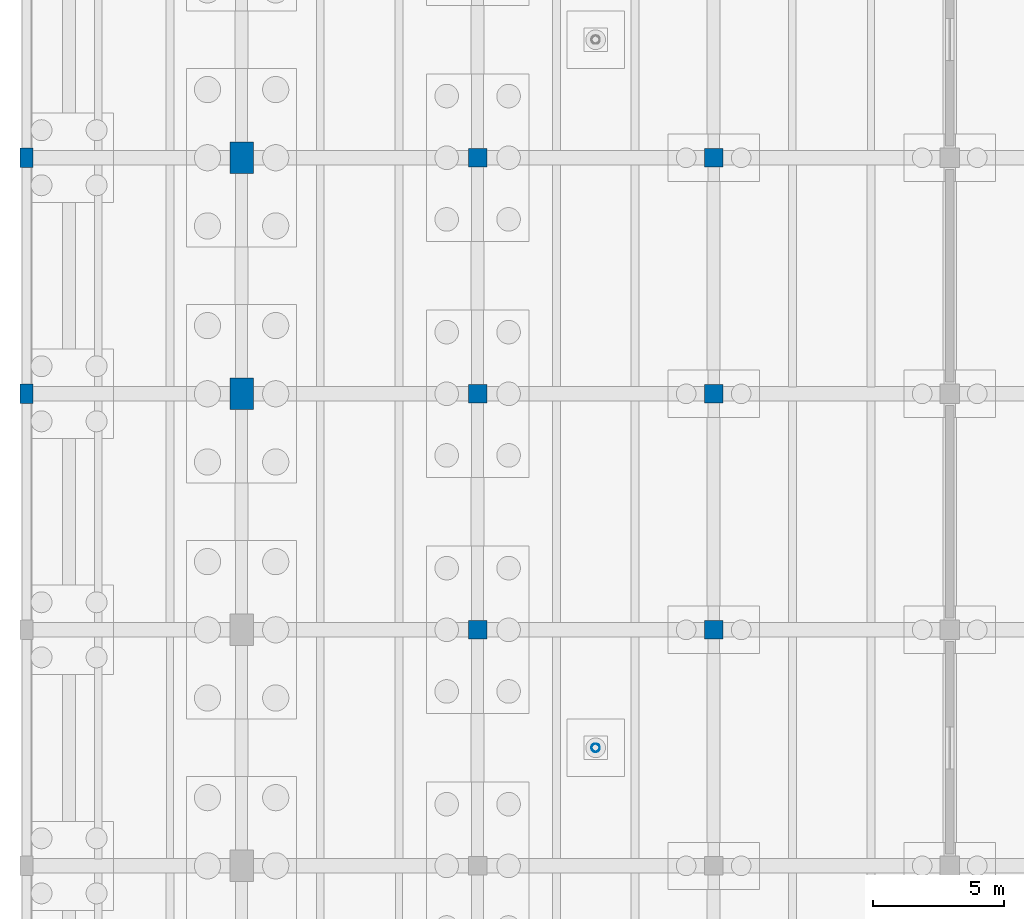
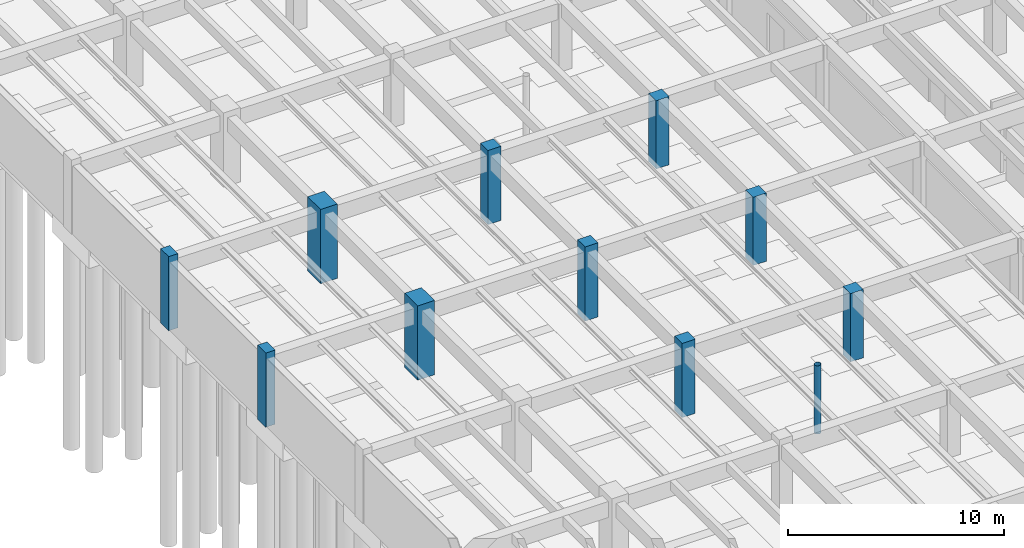
# One storey, part 6 of 23: 11 columns.
"""IFC4 building model written with IfcOpenShell, lengths in metres."""

import ifcopenshell
import ifcopenshell.guid

model = None  # the IFC model being written
_history = None  # IfcOwnerHistory: only IFC2X3 demands one
_inside = {}  # id of a spatial element -> (the spatial element, [elements in it])
_under = {}  # id of a project, library or spatial element -> (it, [spatial elements below it])
_declared = {}  # id of a project -> (the project, [libraries it declares])
_typed = {}  # id of a type object -> (the type object, [elements of that type])
_made_of = {}  # id of a material, layer set ... -> (it, [elements and type objects made of it])


def new_model(schema):
    """Start an empty IFC model of exactly this schema.

    Asked for "IFC4X3", IfcOpenShell would pick the latest addendum, in which some entities
    have other attributes; the version numbers below select the first issue.
    IFC2X3 requires an IfcOwnerHistory on every rooted entity: one is made here for all.
    """
    global model, _history
    if schema == "IFC4X3":
        model = ifcopenshell.file(schema_version=(4, 3, 0, 0))
    else:
        model = ifcopenshell.file(schema=schema)
    _inside.clear()
    _under.clear()
    _declared.clear()
    _typed.clear()
    _made_of.clear()
    _history = None
    if model.schema == "IFC2X3":
        org = make("IfcOrganization", Name="unknown")
        user = make(
            "IfcPersonAndOrganization",
            ThePerson=make("IfcPerson", FamilyName="unknown"),
            TheOrganization=org,
        )
        app = make(
            "IfcApplication",
            ApplicationDeveloper=org,
            Version="unknown",
            ApplicationFullName="unknown",
            ApplicationIdentifier="unknown",
        )
        _history = make(
            "IfcOwnerHistory",
            OwningUser=user,
            OwningApplication=app,
            ChangeAction="ADDED",
            CreationDate=0,
        )
    return model


def make(cls, **values):
    """One entity of the class cls with the attributes given. An attribute that is None is left unset."""
    return model.create_entity(
        cls, **{name: value for name, value in values.items() if value is not None}
    )


def rooted(cls, **values):
    """An entity with a GlobalId (a new one), such as an element, a storey or a relation."""
    return make(cls, GlobalId=ifcopenshell.guid.new(), OwnerHistory=_history, **values)


def si_unit(unit_type, name, prefix=None):
    """IfcSIUnit, for example si_unit("LENGTHUNIT", "METRE", prefix="MILLI")."""
    return make("IfcSIUnit", UnitType=unit_type, Prefix=prefix, Name=name)


def assignment(units):
    """IfcUnitAssignment: the units of a project."""
    return None if units is None else make("IfcUnitAssignment", Units=units)


def point(xyz):
    """IfcCartesianPoint."""
    return None if xyz is None else make("IfcCartesianPoint", Coordinates=xyz)


def direction(xyz):
    """IfcDirection."""
    return None if xyz is None else make("IfcDirection", DirectionRatios=xyz)


def frame(location, z_axis=None, x_axis=None):
    """IfcAxis2Placement3D, a coordinate frame: its origin and axes. An axis left out is left unset."""
    return make(
        "IfcAxis2Placement3D",
        Location=point(location),
        Axis=direction(z_axis),
        RefDirection=direction(x_axis),
    )


def frame_2d(location, x_axis=None):
    """IfcAxis2Placement2D, a coordinate frame in the plane: its origin and x axis."""
    return make(
        "IfcAxis2Placement2D", Location=point(location), RefDirection=direction(x_axis)
    )


def origin():
    """The frame at (0, 0, 0) with its axes left unset."""
    return frame((0.0, 0.0, 0.0))


def origin_2d():
    """The frame at (0, 0) in the plane with its x axis left unset."""
    return frame_2d((0.0, 0.0))


def place(relative_to, where):
    """IfcLocalPlacement: puts the frame where relative to a parent placement (None: the world)."""
    return make(
        "IfcLocalPlacement", PlacementRelTo=relative_to, RelativePlacement=where
    )


def context(
    kind, dimensions, precision=None, world=None, true_north=None, identifier=None
):
    """IfcGeometricRepresentationContext, for example the 3D "Model" context."""
    return make(
        "IfcGeometricRepresentationContext",
        ContextIdentifier=identifier,
        ContextType=kind,
        CoordinateSpaceDimension=dimensions,
        Precision=precision,
        WorldCoordinateSystem=world,
        TrueNorth=true_north,
    )


def subcontext(parent, identifier, kind, view, scale=None):
    """IfcGeometricRepresentationSubContext, for example "Body" below "Model"."""
    return make(
        "IfcGeometricRepresentationSubContext",
        ContextIdentifier=identifier,
        ContextType=kind,
        ParentContext=parent,
        TargetScale=scale,
        TargetView=view,
    )


def project(units=None, contexts=None):
    """IfcProject with its units and contexts."""
    return rooted(
        "IfcProject",
        Name="project",
        RepresentationContexts=contexts,
        UnitsInContext=assignment(units),
    )


def spatial(cls, under=None, at=None, **own):
    """A site, building, storey or space (cls), placed at a placement, below another one or the project."""
    s = rooted(cls, ObjectPlacement=at, **own)
    if under is not None:
        _under.setdefault(under.id(), (under, []))[1].append(s)
    return s


def profile(cls, at=None, kind="AREA", **sizes):
    """A parametric profile (cls). Its sizes go by their IFC names, for example OverallWidth=200.0."""
    return make(cls, ProfileType=kind, Position=at, **sizes)


def rectangle(**sizes):
    """IfcRectangleProfileDef."""
    return profile("IfcRectangleProfileDef", **sizes)


def hollow_circle(**sizes):
    """IfcCircleHollowProfileDef."""
    return profile("IfcCircleHollowProfileDef", **sizes)


def extrude(swept, where, along, depth):
    """IfcExtrudedAreaSolid: the profile swept, set in the frame where, extruded along a direction by depth."""
    return make(
        "IfcExtrudedAreaSolid",
        SweptArea=swept,
        Position=where,
        ExtrudedDirection=direction(along),
        Depth=depth,
    )


def shape(context_of_items, identifier, shape_type, items):
    """IfcShapeRepresentation: the items that make up one representation, for example the "Body"."""
    return make(
        "IfcShapeRepresentation",
        ContextOfItems=context_of_items,
        RepresentationIdentifier=identifier,
        RepresentationType=shape_type,
        Items=items,
    )


def material(Name=None, Category=None):
    """IfcMaterial."""
    return make("IfcMaterial", Name=Name, Category=Category)


def material_profile(
    of_material, cross_section, Name=None, Category=None, Priority=None
):
    """IfcMaterialProfile: a cross section and its material."""
    return make(
        "IfcMaterialProfile",
        Name=Name,
        Material=of_material,
        Profile=cross_section,
        Priority=Priority,
        Category=Category,
    )


def profile_set(profiles, Name=None, composite=None):
    """IfcMaterialProfileSet."""
    return make(
        "IfcMaterialProfileSet",
        Name=Name,
        MaterialProfiles=profiles,
        CompositeProfile=composite,
    )


def made_of(thing, what):
    """Note that an element or type object is made of a material, layer set ...; save() writes the relation."""
    if what is not None:
        _made_of.setdefault(what.id(), (what, []))[1].append(thing)
    return thing


def type_object(cls, material=None, **own):
    """A type object (cls), such as IfcWallType, which elements share."""
    return made_of(rooted(cls, **own), material)


def element(
    cls,
    number,
    at=None,
    inside=None,
    cuts=None,
    type_object=None,
    material=None,
    context=None,
    identifier="Body",
    shape_type=None,
    held_by="IfcProductDefinitionShape",
    body=None,
    shapes=None,
    **own,
):
    """One element of the class cls, such as IfcWall. Its Tag is "e" and its number.

    at: its placement. inside: the storey or other place that contains it. cuts: it is an
    opening in that element (IfcRelVoidsElement). A single representation is given by context,
    identifier, shape_type and body (its items); several are given by shapes. held_by: the class
    of the entity that holds the representations. save() writes the other relations.
    """
    e = rooted(cls, Tag="e%d" % number, ObjectPlacement=at, **own)
    if body is not None:
        shapes = [shape(context, identifier, shape_type, body)]
    if shapes is not None:
        e.Representation = make(held_by, Representations=shapes)
    if inside is not None:
        _inside.setdefault(inside.id(), (inside, []))[1].append(e)
    if cuts is not None:
        rooted(
            "IfcRelVoidsElement", RelatingBuildingElement=cuts, RelatedOpeningElement=e
        )
    if type_object is not None:
        _typed.setdefault(type_object.id(), (type_object, []))[1].append(e)
    return made_of(e, material)


def aggregate(whole, parts):
    """IfcRelAggregates: a whole, such as a stair, and the parts it consists of."""
    return rooted("IfcRelAggregates", RelatingObject=whole, RelatedObjects=parts)


def save(model, path):
    """Write the relations noted so far, then the file.

    IfcRelAggregates (storeys below a building ...), IfcRelContainedInSpatialStructure (elements
    in a storey), IfcRelDefinesByType, IfcRelAssociatesMaterial and IfcRelDeclares: one each for
    every whole, place, type object, material and project.
    """
    for whole, parts in _under.values():
        aggregate(whole, parts)
    for where, things in _inside.values():
        rooted(
            "IfcRelContainedInSpatialStructure",
            RelatedElements=things,
            RelatingStructure=where,
        )
    for kind, things in _typed.values():
        rooted("IfcRelDefinesByType", RelatedObjects=things, RelatingType=kind)
    for what, things in _made_of.values():
        rooted("IfcRelAssociatesMaterial", RelatedObjects=things, RelatingMaterial=what)
    for by, libraries in _declared.values():
        rooted("IfcRelDeclares", RelatingContext=by, RelatedDefinitions=libraries)
    model.write(path)


model = new_model("IFC4")

# Units and contexts
model_context = context("Model", 3, precision=1e-05, world=origin(), true_north=direction((0.0, 1.0)))
body_context = subcontext(model_context, "Body", "Model", "MODEL_VIEW")
ifc_project = project(units=[si_unit("LENGTHUNIT", "METRE"), si_unit("AREAUNIT", "SQUARE_METRE"), si_unit("VOLUMEUNIT", "CUBIC_METRE"), si_unit("PLANEANGLEUNIT", "RADIAN"), si_unit("MASSUNIT", "GRAM", prefix="KILO")], contexts=[model_context])

# Site, building, storey
site_placement = place(None, origin())
site = spatial("IfcSite", under=ifc_project, at=site_placement, CompositionType="ELEMENT")
building_placement = place(site_placement, origin())
building = spatial("IfcBuilding", under=site, at=building_placement, Name="Ornek Quay Market", CompositionType="ELEMENT")
storey_placement = place(building_placement, frame((0.0, 0.0, -4.199951171875)))
storey = spatial("IfcBuildingStorey", under=building, at=storey_placement, Name="B1", CompositionType="ELEMENT", Elevation=-4.199951171875)

# Columns
ifc_material_1 = material(Name="Concrete C45/55", Category="concrete")
ifc_material_profile_1 = material_profile(ifc_material_1, rectangle(XDim=0.89990234375, YDim=1.199951171875, at=origin_2d()), Name="RC 900x1200", Category="concrete")
ifc_profile_set_1 = profile_set([ifc_material_profile_1], Name="Concrete C45/55")
column_type_1 = type_object("IfcColumnType", Name="COL-ARCH-900x1200", PredefinedType="COLUMN", material=ifc_profile_set_1)
for number, where, z_axis, x_axis, name in (
    (1, (63.0, 56.0, 0.0), (0.0, 0.0, 1.0), (1.0, 0.0, 0.0), "Column C-AR1-007"),
    (2, (63.0, 65.0, 0.0), (0.0, 0.0, 1.0), (1.0, 0.0, 0.0), "Column C-AR1-008"),
):
    element("IfcColumn", number, at=place(storey_placement, frame(where, z_axis=z_axis, x_axis=x_axis)), inside=storey, type_object=column_type_1, Name=name, PredefinedType="COLUMN", context=body_context, shape_type="SweptSolid", body=[
        extrude(rectangle(XDim=0.89990234375, YDim=1.199951171875, at=origin_2d()), origin(), (0.0, 0.0, 1.0), 4.199951171875),
    ])
ifc_material_2 = material(Name="Concrete C40/50", Category="concrete")
ifc_material_profile_2 = material_profile(ifc_material_2, rectangle(XDim=0.699951171875, YDim=0.699951171875, at=origin_2d()), Name="RC 700x700", Category="concrete")
ifc_profile_set_2 = profile_set([ifc_material_profile_2], Name="Concrete C40/50")
column_type_2 = type_object("IfcColumnType", Name="COL-B1-700x700", PredefinedType="COLUMN", material=ifc_profile_set_2)
for number, where, z_axis, x_axis, name in (
    (3, (72.0, 47.0, 0.0), (0.0, 0.0, 1.0), (1.0, 0.0, 0.0), "Column C-B1B-010"),
    (4, (72.0, 56.0, 0.0), (0.0, 0.0, 1.0), (1.0, 0.0, 0.0), "Column C-B1B-011"),
    (5, (72.0, 65.0, 0.0), (0.0, 0.0, 1.0), (1.0, 0.0, 0.0), "Column C-B1B-012"),
):
    element("IfcColumn", number, at=place(storey_placement, frame(where, z_axis=z_axis, x_axis=x_axis)), inside=storey, type_object=column_type_2, Name=name, PredefinedType="COLUMN", context=body_context, shape_type="SweptSolid", body=[
        extrude(rectangle(XDim=0.699951171875, YDim=0.699951171875, at=origin_2d()), origin(), (0.0, 0.0, 1.0), 4.199951171875),
    ])
for number, where, z_axis, x_axis, name in (
    (6, (81.0, 47.0, 0.0), (0.0, 0.0, 1.0), (1.0, 0.0, 0.0), "Column C-B1B-023"),
    (7, (81.0, 56.0, 0.0), (0.0, 0.0, 1.0), (1.0, 0.0, 0.0), "Column C-B1B-024"),
    (8, (81.0, 65.0, 0.0), (0.0, 0.0, 1.0), (1.0, 0.0, 0.0), "Column C-B1B-025"),
):
    element("IfcColumn", number, at=place(storey_placement, frame(where, z_axis=z_axis, x_axis=x_axis)), inside=storey, type_object=column_type_2, Name=name, PredefinedType="COLUMN", context=body_context, shape_type="SweptSolid", body=[
        extrude(rectangle(XDim=0.699951171875, YDim=0.699951171875, at=origin_2d()), origin(), (0.0, 0.0, 1.0), 3.85986328125),
    ])
ifc_material_profile_3 = material_profile(ifc_material_2, rectangle(XDim=0.5, YDim=0.75, at=origin_2d()), Name="RC 500x750", Category="concrete")
ifc_profile_set_3 = profile_set([ifc_material_profile_3], Name="Concrete C40/50")
column_type_3 = type_object("IfcColumnType", Name="COL-MJ-500x750", PredefinedType="COLUMN", material=ifc_profile_set_3)
for number, where, z_axis, x_axis, name in (
    (9, (54.800048828125, 56.0, 0.0), (0.0, 0.0, 1.0), (1.0, 0.0, 0.0), "Column C-MJ1-016"),
    (10, (54.800048828125, 65.0, 0.0), (0.0, 0.0, 1.0), (1.0, 0.0, 0.0), "Column C-MJ1-018"),
):
    element("IfcColumn", number, at=place(storey_placement, frame(where, z_axis=z_axis, x_axis=x_axis)), inside=storey, type_object=column_type_3, Name=name, PredefinedType="COLUMN", context=body_context, shape_type="SweptSolid", body=[
        extrude(rectangle(XDim=0.5, YDim=0.75, at=origin_2d()), origin(), (0.0, 0.0, 1.0), 4.199951171875),
    ])
ifc_material_3 = material(Name="Steel S355", Category="steel")
ifc_material_profile_4 = material_profile(ifc_material_3, hollow_circle(Radius=0.161865234375, WallThickness=0.012451171875, at=origin_2d()), Name="CHS 323.9x12.5", Category="steel")
ifc_profile_set_4 = profile_set([ifc_material_profile_4], Name="Steel S355")
column_type_4 = type_object("IfcColumnType", Name="COL-PORCH-CHS323", PredefinedType="PILASTER", material=ifc_profile_set_4)
column_placement = place(storey_placement, frame((76.5, 42.5, 0.0), z_axis=(0.0, 0.0, 1.0), x_axis=(1.0, 0.0, 0.0)))
element("IfcColumn", 11, at=column_placement, inside=storey, type_object=column_type_4, Name="Pavilion column CK-01", PredefinedType="PILASTER", context=body_context, shape_type="SweptSolid", body=[
    extrude(hollow_circle(Radius=0.161865234375, WallThickness=0.012451171875, at=origin_2d()), origin(), (0.0, 0.0, 1.0), 3.85986328125),
])

save(model, "model.ifc")
